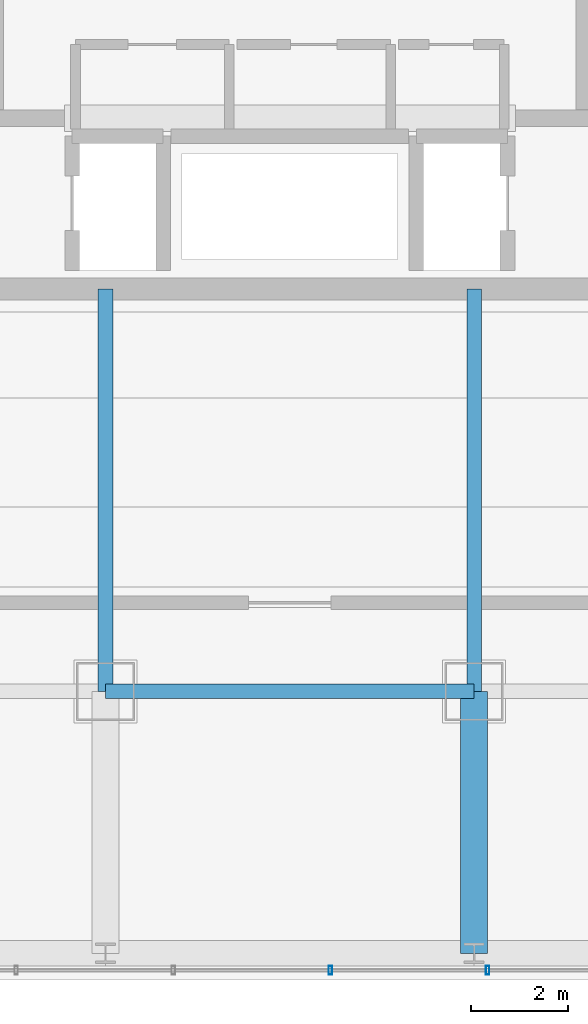
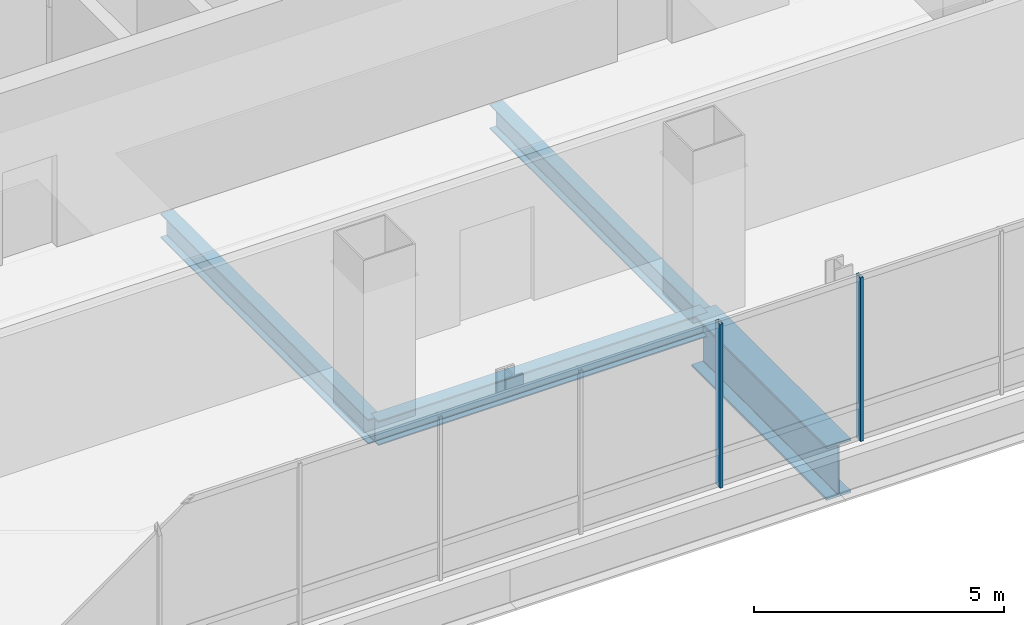
# One storey, part 9 of 42: 4 beams, 2 members, 1 element without a shape of its own.
"""IFC4 building model written with IfcOpenShell, lengths in metres."""

from ifc_helpers import new_model, si_unit, direction, frame, origin, origin_2d, place, context, subcontext, project, spatial, hollow_rectangle, i_section, extrude, material, material_profile, profile_set, type_object, element, aggregate, save


model = new_model("IFC4")

# Units and contexts
model_context = context("Model", 3, precision=1e-05, world=origin(), true_north=direction((0.0, 1.0)))
body_context = subcontext(model_context, "Body", "Model", "MODEL_VIEW")
ifc_project = project(units=[si_unit("LENGTHUNIT", "METRE"), si_unit("AREAUNIT", "SQUARE_METRE"), si_unit("VOLUMEUNIT", "CUBIC_METRE"), si_unit("PLANEANGLEUNIT", "RADIAN"), si_unit("MASSUNIT", "GRAM", prefix="KILO")], contexts=[model_context])

# Site, building, storey
site_placement = place(None, origin())
site = spatial("IfcSite", under=ifc_project, at=site_placement, CompositionType="ELEMENT")
building_placement = place(site_placement, origin())
building = spatial("IfcBuilding", under=site, at=building_placement, Name="Punatoya Terracotta Tower", CompositionType="ELEMENT")
storey_placement = place(building_placement, frame((0.0, 0.0, 325.800048828125)))
storey = spatial("IfcBuildingStorey", under=building, at=storey_placement, Name="L77", CompositionType="ELEMENT", Elevation=325.800048828125)

# Beams
ifc_material_1 = material(Name="Steel S355", Category="steel")
ifc_material_profile_1 = material_profile(ifc_material_1, i_section(OverallWidth=0.300048828125, OverallDepth=0.60009765625, WebThickness=0.015380859375, FlangeThickness=0.030029296875, FilletRadius=0.01806640625, at=origin_2d()))
ifc_profile_set_1 = profile_set([ifc_material_profile_1], Name="Steel S355")
beam_type_1 = type_object("IfcBeamType", Name="BM-PRI-600", PredefinedType="BEAM", material=ifc_profile_set_1)
beam_1_placement = place(storey_placement, frame((-3.800048828125, -17.5, -0.5), z_axis=(1.0, 0.0, 0.0), x_axis=(0.0, 1.0, 0.0)))
element("IfcBeam", 1, at=beam_1_placement, inside=storey, type_object=beam_type_1, Name="BM-L77-RG-S2", PredefinedType="BEAM", context=body_context, shape_type="SweptSolid", body=[
    extrude(i_section(OverallWidth=0.300048828125, OverallDepth=0.60009765625, WebThickness=0.015380859375, FlangeThickness=0.030029296875, FilletRadius=0.01806640625, at=origin_2d()), origin(), (0.0, 0.0, 1.0), 7.60009765625),
])
for number, where, z_axis, x_axis, name in (
    (2, (-3.800048828125, -17.5, -0.5), (0.0, 1.0, 0.0), (-1.0, 0.0, 0.0), "BM-L77-PR-S2"),
    (3, (3.800048828125, -17.5, -0.5), (0.0, 1.0, 0.0), (-1.0, 0.0, 0.0), "BM-L77-PR-S3"),
):
    element("IfcBeam", number, at=place(storey_placement, frame(where, z_axis=z_axis, x_axis=x_axis)), inside=storey, type_object=beam_type_1, Name=name, PredefinedType="BEAM", context=body_context, shape_type="SweptSolid", body=[
        extrude(i_section(OverallWidth=0.300048828125, OverallDepth=0.60009765625, WebThickness=0.015380859375, FlangeThickness=0.030029296875, FilletRadius=0.01806640625, at=origin_2d()), origin(), (0.0, 0.0, 1.0), 8.300048828125),
    ])
ifc_material_2 = material(Name="Steel S460", Category="steel")
ifc_material_profile_2 = material_profile(ifc_material_2, i_section(OverallWidth=0.56005859375, OverallDepth=1.320068359375, WebThickness=0.035888671875, FlangeThickness=0.054931640625, FilletRadius=0.01806640625, at=origin_2d()))
ifc_profile_set_2 = profile_set([ifc_material_profile_2], Name="Steel S460")
beam_type_2 = type_object("IfcBeamType", Name="BM-TG-BLK", PredefinedType="BEAM", material=ifc_profile_set_2)
beam_2_placement = place(storey_placement, frame((3.800048828125, -22.89990234375, -0.860107421875), z_axis=(0.0, 1.0, 0.0), x_axis=(-1.0, 0.0, 0.0)))
element("IfcBeam", 4, at=beam_2_placement, inside=storey, type_object=beam_type_2, Name="BM-L77-CANT-S3", PredefinedType="BEAM", context=body_context, shape_type="SweptSolid", body=[
    extrude(i_section(OverallWidth=0.56005859375, OverallDepth=1.320068359375, WebThickness=0.035888671875, FlangeThickness=0.054931640625, FilletRadius=0.01806640625, at=origin_2d()), origin(), (0.0, 0.0, 1.0), 5.39990234375),
])

# Curtain wall, members
ifc_material_3 = material(Name="Aluminium 6063-T6 + Double Low-E Glass", Category="aluminium")
curtain_wall_type = type_object("IfcCurtainWallType", Name="CW-OBS", PredefinedType="NOTDEFINED", material=ifc_material_3)
curtain_wall_placement = place(storey_placement, origin())
curtain_wall = element("IfcCurtainWall", 5, at=curtain_wall_placement, inside=storey, type_object=curtain_wall_type, Name="L77 Curtain Wall CW-L77-S01-1", PredefinedType="NOTDEFINED")
ifc_material_4 = material(Name="Aluminium 6063-T6", Category="aluminium")
ifc_material_profile_3 = material_profile(ifc_material_4, hollow_rectangle(XDim=0.070068359375, YDim=0.179931640625, WallThickness=0.00390625, at=origin_2d()))
ifc_profile_set_3 = profile_set([ifc_material_profile_3], Name="Aluminium 6063-T6")
member_type = type_object("IfcMemberType", Name="CW-MUL-M3", PredefinedType="MULLION", material=ifc_profile_set_3)
member_1_placement = place(storey_placement, frame((0.839599609375, -23.25, 0.0), z_axis=(0.0, 0.0, 1.0), x_axis=(1.0, 0.0, 0.0)))
member_1 = element("IfcMember", 6, at=member_1_placement, type_object=member_type, Name="CW-L77-S01-1 Mullion 07", PredefinedType="MULLION", context=body_context, shape_type="SweptSolid", body=[
    extrude(hollow_rectangle(XDim=0.070068359375, YDim=0.179931640625, WallThickness=0.00390625, at=origin_2d()), origin(), (0.0, 0.0, 1.0), 4.0),
])
member_2_placement = place(storey_placement, frame((4.0791015625, -23.25, 0.0), z_axis=(0.0, 0.0, 1.0), x_axis=(1.0, 0.0, 0.0)))
member_2 = element("IfcMember", 7, at=member_2_placement, type_object=member_type, Name="CW-L77-S01-1 Mullion 08", PredefinedType="MULLION", context=body_context, shape_type="SweptSolid", body=[
    extrude(hollow_rectangle(XDim=0.070068359375, YDim=0.179931640625, WallThickness=0.00390625, at=origin_2d()), origin(), (0.0, 0.0, 1.0), 4.0),
])
aggregate(curtain_wall, [member_1, member_2])

save(model, "model.ifc")
